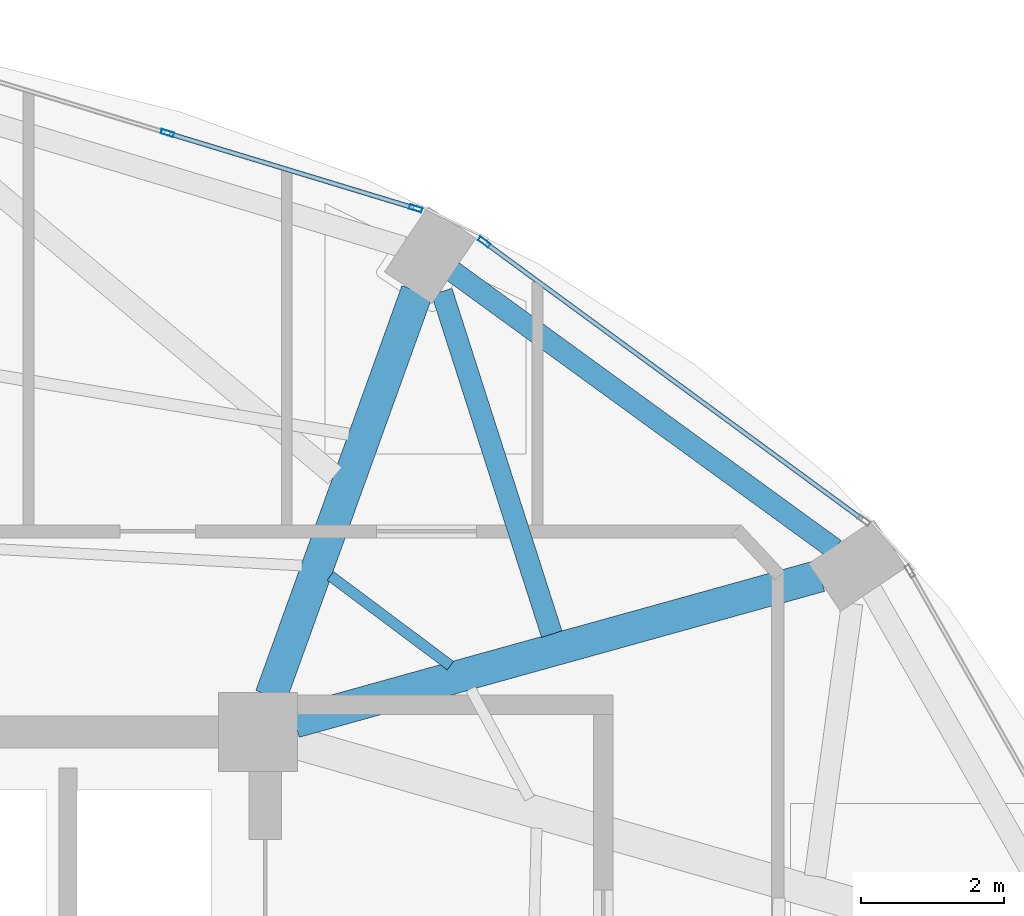
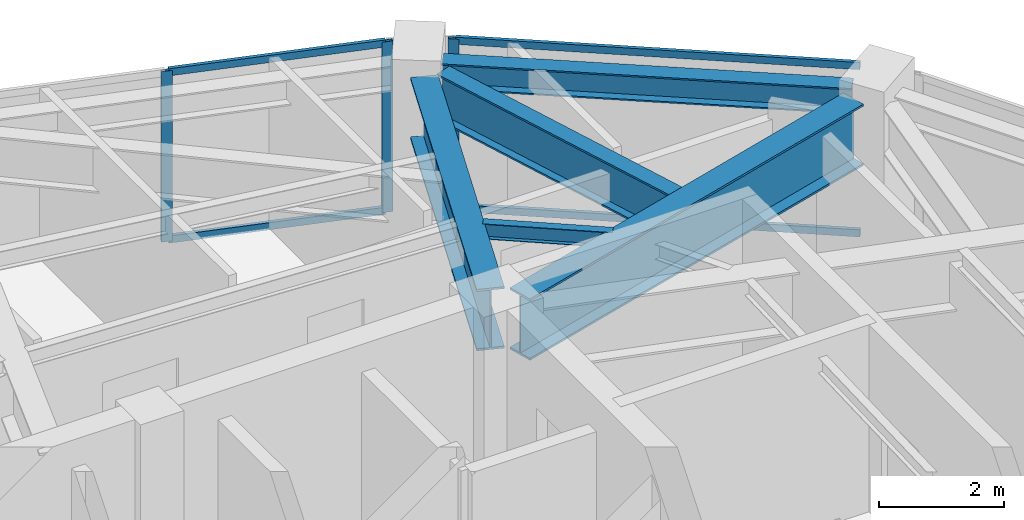
# One storey, part 5 of 13: 7 members, 5 beams, 2 elements without a shape of their own.
"""IFC4 building model written with IfcOpenShell, lengths in metres."""

from ifc_helpers import new_model, si_unit, direction, frame, origin, origin_2d, place, context, subcontext, project, spatial, hollow_rectangle, i_section, extrude, material, layer, layer_set, material_profile, profile_set, type_object, element, aggregate, save


model = new_model("IFC4")

# Units and contexts
model_context = context("Model", 3, precision=1e-05, world=origin(), true_north=direction((0.0, 1.0)))
body_context = subcontext(model_context, "Body", "Model", "MODEL_VIEW")
ifc_project = project(units=[si_unit("LENGTHUNIT", "METRE"), si_unit("AREAUNIT", "SQUARE_METRE"), si_unit("VOLUMEUNIT", "CUBIC_METRE"), si_unit("PLANEANGLEUNIT", "RADIAN"), si_unit("MASSUNIT", "GRAM", prefix="KILO")], contexts=[model_context])

# Site, building, storey
site_placement = place(None, origin())
site = spatial("IfcSite", under=ifc_project, at=site_placement, CompositionType="ELEMENT")
building_placement = place(site_placement, origin())
building = spatial("IfcBuilding", under=site, at=building_placement, Name="Lazwardi Medical Tower", CompositionType="ELEMENT")
storey_placement = place(building_placement, frame((0.0, 0.0, 298.800048828125)))
storey = spatial("IfcBuildingStorey", under=building, at=storey_placement, Name="L78", CompositionType="ELEMENT", Elevation=298.800048828125)

# Beams
ifc_material_1 = material(Name="Steel S460", Category="steel")
ifc_material_profile_1 = material_profile(ifc_material_1, i_section(OverallWidth=0.300048828125, OverallDepth=0.89990234375, WebThickness=0.0185546875, FlangeThickness=0.034912109375, at=origin_2d()), Name="HEB 900")
ifc_profile_set_1 = profile_set([ifc_material_profile_1], Name="Steel S460")
beam_type_1 = type_object("IfcBeamType", Name="BM-HB-01", PredefinedType="BEAM", material=ifc_profile_set_1)
beam_1_placement = place(storey_placement, frame((49.697265625, 36.96630859375, 2.8779296875), z_axis=(-0.305568207763, 0.952170189832, 0.0), x_axis=(-0.952170189832, -0.305568207763, 0.0)))
element("IfcBeam", 1, at=beam_1_placement, inside=storey, type_object=beam_type_1, Name="Transfer girder tie HB-01 M06 L78", PredefinedType="BEAM", context=body_context, shape_type="SweptSolid", body=[
    extrude(i_section(OverallWidth=0.300048828125, OverallDepth=0.89990234375, WebThickness=0.0185546875, FlangeThickness=0.034912109375, at=origin_2d()), origin(), (0.0, 0.0, 1.0), 5.018310546875),
])
ifc_material_2 = material(Name="Steel S355", Category="steel")
ifc_material_profile_2 = material_profile(ifc_material_2, i_section(OverallWidth=0.300048828125, OverallDepth=0.5, WebThickness=0.014404296875, FlangeThickness=0.028076171875, at=origin_2d()), Name="HEB 500")
ifc_profile_set_2 = profile_set([ifc_material_profile_2], Name="Steel S355")
beam_type_2 = type_object("IfcBeamType", Name="BM-RB-Z4", PredefinedType="BEAM", material=ifc_profile_set_2)
beam_2_placement = place(storey_placement, frame((53.644287109375, 38.15185546875, 3.077880859375), z_axis=(-0.808889916254, 0.587960120571, 0.0), x_axis=(-0.587960120571, -0.808889916254, 0.0)))
element("IfcBeam", 2, at=beam_2_placement, inside=storey, type_object=beam_type_2, Name="Ring beam RB-05 B06 L78", PredefinedType="BEAM", context=body_context, shape_type="SweptSolid", body=[
    extrude(i_section(OverallWidth=0.300048828125, OverallDepth=0.5, WebThickness=0.014404296875, FlangeThickness=0.028076171875, at=origin_2d()), origin(), (0.0, 0.0, 1.0), 6.587158203125),
])
ifc_material_profile_3 = material_profile(ifc_material_2, i_section(OverallWidth=0.14990234375, OverallDepth=0.300048828125, WebThickness=0.007080078125, FlangeThickness=0.0107421875, at=origin_2d()), Name="IPE 300")
ifc_profile_set_3 = profile_set([ifc_material_profile_3], Name="Steel S355")
beam_type_3 = type_object("IfcBeamType", Name="BM-SJ-03", PredefinedType="JOIST", material=ifc_profile_set_3)
beam_3_placement = place(storey_placement, frame((48.284423828125, 36.526611328125, 3.177978515625), z_axis=(-0.800895736357, 0.598803823874, 0.0), x_axis=(-0.598803823874, -0.800895736357, 0.0)))
element("IfcBeam", 3, at=beam_3_placement, inside=storey, type_object=beam_type_3, Name="Secondary joist SJ-03 R2 B06 L78", PredefinedType="JOIST", context=body_context, shape_type="SweptSolid", body=[
    extrude(i_section(OverallWidth=0.14990234375, OverallDepth=0.300048828125, WebThickness=0.007080078125, FlangeThickness=0.0107421875, at=origin_2d()), origin(), (0.0, 0.0, 1.0), 2.091064453125),
])
ifc_material_profile_4 = material_profile(ifc_material_1, i_section(OverallWidth=0.449951171875, OverallDepth=1.199951171875, WebThickness=0.02490234375, FlangeThickness=0.0400390625, at=origin_2d()), Name="PG 1200x450")
ifc_profile_set_4 = profile_set([ifc_material_profile_4], Name="Steel S460")
beam_type_4 = type_object("IfcBeamType", Name="BM-TG-02", PredefinedType="BEAM", material=ifc_profile_set_4)
beam_4_placement = place(storey_placement, frame((53.444091796875, 37.779296875, 2.72802734375), z_axis=(-0.963504112843, -0.267693527254, 0.0), x_axis=(0.267693527254, -0.963504112843, 0.0)))
element("IfcBeam", 4, at=beam_4_placement, inside=storey, type_object=beam_type_4, Name="Transfer girder TG-02 M06 L78", PredefinedType="BEAM", context=body_context, shape_type="SweptSolid", body=[
    extrude(i_section(OverallWidth=0.449951171875, OverallDepth=1.199951171875, WebThickness=0.02490234375, FlangeThickness=0.0400390625, at=origin_2d()), origin(), (0.0, 0.0, 1.0), 7.606201171875),
])
beam_5_placement = place(storey_placement, frame((47.81884765625, 41.750732421875, 2.72802734375), z_axis=(-0.339348661818, -0.940660664492, 0.0), x_axis=(0.940660664492, -0.339348661818, 0.0)))
element("IfcBeam", 5, at=beam_5_placement, inside=storey, type_object=beam_type_4, Name="Transfer girder TG-02 M07 L78", PredefinedType="BEAM", context=body_context, shape_type="SweptSolid", body=[
    extrude(i_section(OverallWidth=0.449951171875, OverallDepth=1.199951171875, WebThickness=0.02490234375, FlangeThickness=0.0400390625, at=origin_2d()), origin(), (0.0, 0.0, 1.0), 6.003662109375),
])

# Curtain wall, member
ifc_material_3 = material(Name="Anodised bronze aluminium and solar control glazing", Category="aluminium")
ifc_layer = layer(ifc_material_3, 0.18994140625)
ifc_layer_set = layer_set([ifc_layer], Name="Anodised bronze aluminium and solar control glazing")
curtain_wall_type = type_object("IfcCurtainWallType", Name="CW-SYS-04", PredefinedType="NOTDEFINED", material=ifc_layer_set)
curtain_wall_1_placement = place(storey_placement, origin())
curtain_wall_1 = element("IfcCurtainWall", 6, at=curtain_wall_1_placement, inside=storey, type_object=curtain_wall_type, Name="L78 Unitised bronze curtain wall CW-04", PredefinedType="NOTDEFINED")
ifc_material_4 = material(Name="Anodised bronze aluminium", Category="aluminium")
ifc_material_profile_5 = material_profile(ifc_material_4, hollow_rectangle(XDim=0.06494140625, YDim=0.179931640625, WallThickness=0.00390625, at=origin_2d()), Name="ALU-MULLION 180x65x4")
ifc_profile_set_5 = profile_set([ifc_material_profile_5], Name="Anodised bronze aluminium")
member_type_1 = type_object("IfcMemberType", Name="CW-MUL-03", PredefinedType="MULLION", material=ifc_profile_set_5)
member_1_placement = place(storey_placement, frame((48.75537109375, 42.434814453125, 0.0), z_axis=(0.0, 0.0, 1.0), x_axis=(-0.591268230971, -0.806474971121, 0.0)))
member_1 = element("IfcMember", 7, at=member_1_placement, type_object=member_type_1, Name="CW-04 mullion 2", PredefinedType="MULLION", context=body_context, shape_type="SweptSolid", body=[
    extrude(hollow_rectangle(XDim=0.06494140625, YDim=0.179931640625, WallThickness=0.00390625, at=origin_2d()), origin(), (0.0, 0.0, 1.0), 3.327880859375),
])

# Curtain wall, members
curtain_wall_2_placement = place(storey_placement, origin())
curtain_wall_2 = element("IfcCurtainWall", 8, at=curtain_wall_2_placement, inside=storey, type_object=curtain_wall_type, Name="L78 Unitised bronze curtain wall CW-04", PredefinedType="NOTDEFINED")
member_2_placement = place(storey_placement, frame((47.7998046875, 42.903564453125, 0.0), z_axis=(0.0, 0.0, 1.0), x_axis=(-0.290581889515, -0.956850126972, 0.0)))
member_2 = element("IfcMember", 9, at=member_2_placement, type_object=member_type_1, Name="CW-04 mullion 1", PredefinedType="MULLION", context=body_context, shape_type="SweptSolid", body=[
    extrude(hollow_rectangle(XDim=0.06494140625, YDim=0.179931640625, WallThickness=0.00390625, at=origin_2d()), origin(), (0.0, 0.0, 1.0), 3.327880859375),
])
member_3_placement = place(storey_placement, frame((44.33642578125, 43.955322265625, 0.0), z_axis=(0.0, 0.0, 1.0), x_axis=(-0.290581889515, -0.956850126972, 0.0)))
member_3 = element("IfcMember", 10, at=member_3_placement, type_object=member_type_1, Name="CW-04 mullion 2", PredefinedType="MULLION", context=body_context, shape_type="SweptSolid", body=[
    extrude(hollow_rectangle(XDim=0.06494140625, YDim=0.179931640625, WallThickness=0.00390625, at=origin_2d()), origin(), (0.0, 0.0, 1.0), 3.327880859375),
])

# Member
ifc_material_profile_6 = material_profile(ifc_material_4, hollow_rectangle(XDim=0.06494140625, YDim=0.139892578125, WallThickness=0.00341796875, at=origin_2d()), Name="ALU-TRANSOM 140x65x3.5")
ifc_profile_set_6 = profile_set([ifc_material_profile_6], Name="Anodised bronze aluminium")
member_type_2 = type_object("IfcMemberType", Name="CW-TRN-03", PredefinedType="USERDEFINED", material=ifc_profile_set_6)
member_4_placement = place(storey_placement, frame((54.02587890625, 38.57080078125, 0.032470703125), z_axis=(-0.806471831148, 0.591272513791, 0.0), x_axis=(-0.591272513791, -0.806471831148, 0.0)))
member_4 = element("IfcMember", 11, at=member_4_placement, type_object=member_type_2, Name="CW-04 transom 1.1", ObjectType="TRANSOM", PredefinedType="USERDEFINED", context=body_context, shape_type="SweptSolid", body=[
    extrude(hollow_rectangle(XDim=0.06494140625, YDim=0.139892578125, WallThickness=0.00341796875, at=origin_2d()), origin(), (0.0, 0.0, 1.0), 6.5029296875),
])

member_5_placement = place(storey_placement, frame((54.02587890625, 38.57080078125, 3.29541015625), z_axis=(-0.806471831148, 0.591272513791, 0.0), x_axis=(-0.591272513791, -0.806471831148, 0.0)))
member_5 = element("IfcMember", 12, at=member_5_placement, type_object=member_type_2, Name="CW-04 transom 1.2", ObjectType="TRANSOM", PredefinedType="USERDEFINED", context=body_context, shape_type="SweptSolid", body=[
    extrude(hollow_rectangle(XDim=0.06494140625, YDim=0.139892578125, WallThickness=0.00341796875, at=origin_2d()), origin(), (0.0, 0.0, 1.0), 6.5029296875),
])

aggregate(curtain_wall_1, [member_1, member_4, member_5])

member_6_placement = place(storey_placement, frame((47.7685546875, 42.9130859375, 0.032470703125), z_axis=(-0.956862505902, 0.290541124109, 0.0), x_axis=(-0.290541124109, -0.956862505902, 0.0)))
member_6 = element("IfcMember", 13, at=member_6_placement, type_object=member_type_2, Name="CW-04 transom 1.1", ObjectType="TRANSOM", PredefinedType="USERDEFINED", context=body_context, shape_type="SweptSolid", body=[
    extrude(hollow_rectangle(XDim=0.06494140625, YDim=0.139892578125, WallThickness=0.00341796875, at=origin_2d()), origin(), (0.0, 0.0, 1.0), 3.554443359375),
])

member_7_placement = place(storey_placement, frame((47.7685546875, 42.9130859375, 3.29541015625), z_axis=(-0.956862505902, 0.290541124109, 0.0), x_axis=(-0.290541124109, -0.956862505902, 0.0)))
member_7 = element("IfcMember", 14, at=member_7_placement, type_object=member_type_2, Name="CW-04 transom 1.2", ObjectType="TRANSOM", PredefinedType="USERDEFINED", context=body_context, shape_type="SweptSolid", body=[
    extrude(hollow_rectangle(XDim=0.06494140625, YDim=0.139892578125, WallThickness=0.00341796875, at=origin_2d()), origin(), (0.0, 0.0, 1.0), 3.554443359375),
])

aggregate(curtain_wall_2, [member_2, member_3, member_6, member_7])

save(model, "model.ifc")
